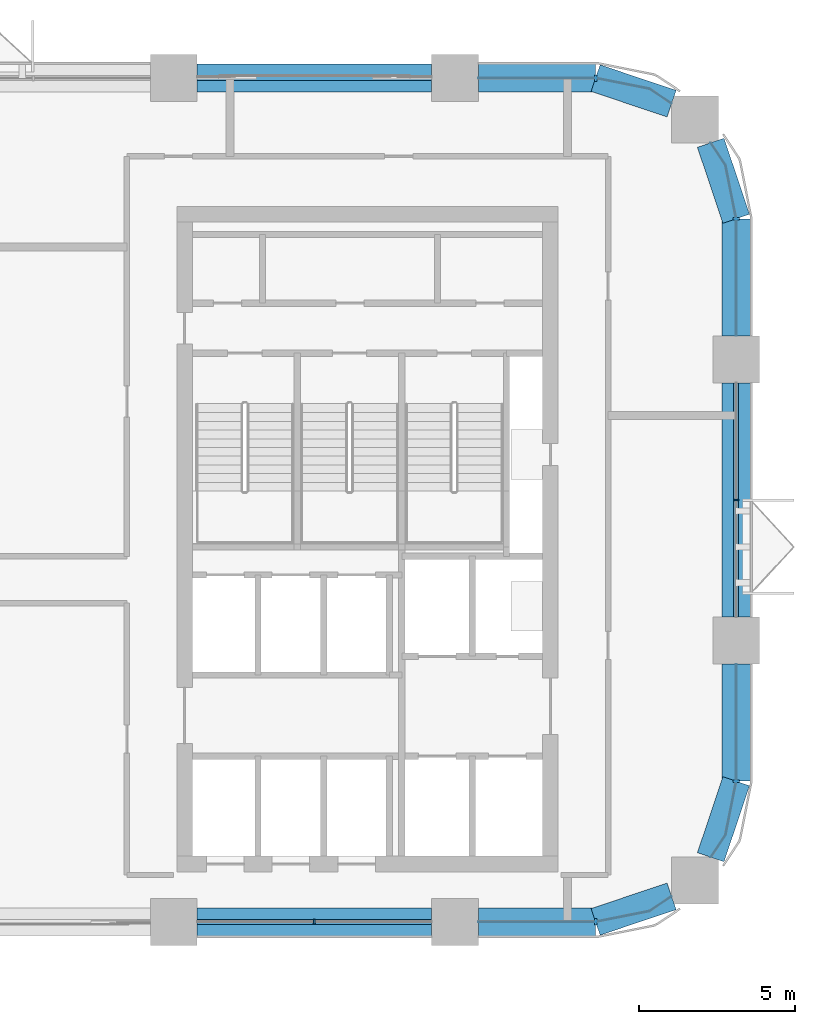
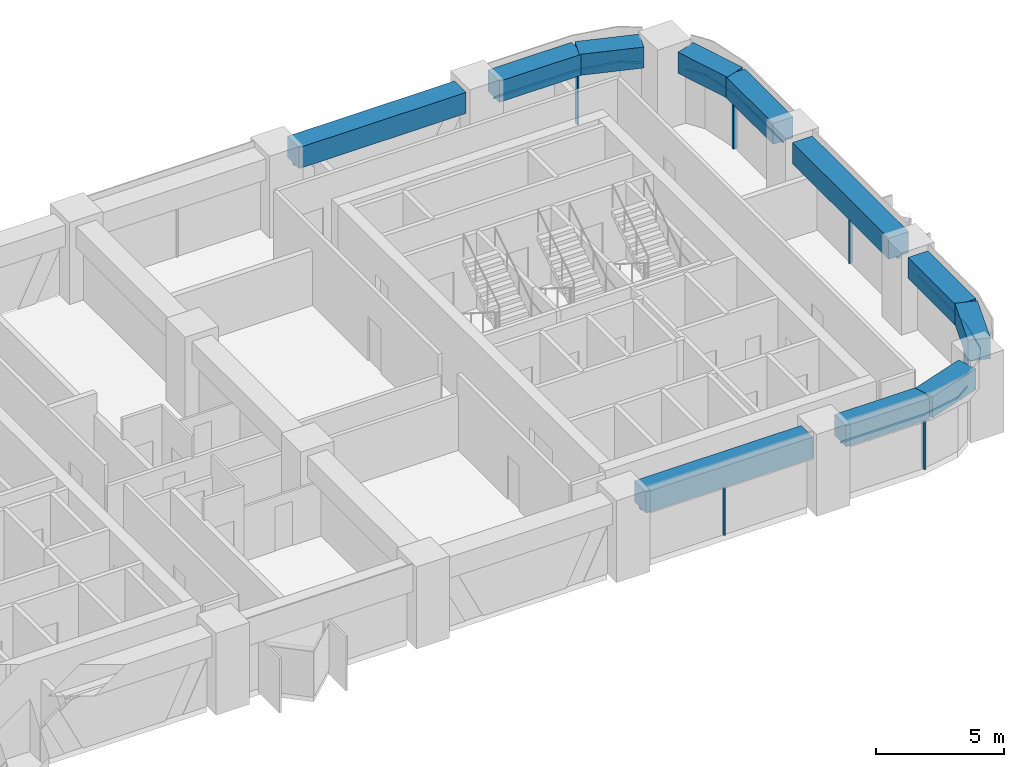
# One storey, part 5 of 13: 13 members, 11 beams, 7 elements without a shape of their own.
"""IFC4 building model written with IfcOpenShell, lengths in metres."""

from ifc_helpers import new_model, si_unit, direction, frame, origin, origin_2d, place, context, subcontext, project, spatial, polyline, rectangle, outline, extrude, material, material_profile, profile_set, type_object, element, aggregate, save


model = new_model("IFC4")

# Units and contexts
model_context = context("Model", 3, precision=1e-05, world=origin(), true_north=direction((0.0, 1.0)))
body_context = subcontext(model_context, "Body", "Model", "MODEL_VIEW")
ifc_project = project(units=[si_unit("LENGTHUNIT", "METRE"), si_unit("AREAUNIT", "SQUARE_METRE"), si_unit("VOLUMEUNIT", "CUBIC_METRE"), si_unit("PLANEANGLEUNIT", "RADIAN"), si_unit("MASSUNIT", "GRAM", prefix="KILO")], contexts=[model_context])

# Site, building, storey
site_placement = place(None, origin())
site = spatial("IfcSite", under=ifc_project, at=site_placement, CompositionType="ELEMENT")
building_placement = place(site_placement, origin())
building = spatial("IfcBuilding", under=site, at=building_placement, Name="Tessera Arch", CompositionType="ELEMENT")
storey_placement = place(building_placement, frame((0.0, 0.0, 162.199951171875)))
storey = spatial("IfcBuildingStorey", under=building, at=storey_placement, Name="L38", CompositionType="ELEMENT", Elevation=162.199951171875)

# Curtain wall, member
ifc_material_1 = material(Name="CW1 curtain wall")
curtain_wall_type_1 = type_object("IfcCurtainWallType", Name="CW1 curtain wall", PredefinedType="NOTDEFINED", material=ifc_material_1)
curtain_wall_1_placement = place(storey_placement, origin())
curtain_wall_1 = element("IfcCurtainWall", 1, at=curtain_wall_1_placement, inside=storey, type_object=curtain_wall_type_1, Name="CW1 curtain wall E54.27/0 L38", PredefinedType="NOTDEFINED")
ifc_material_2 = material(Name="Anodised aluminium pale metal", Category="aluminium")
ifc_material_profile_1 = material_profile(ifc_material_2, rectangle(XDim=0.159912109375, YDim=0.06005859375, at=origin_2d()), Name="AL 60x160")
ifc_profile_set_1 = profile_set([ifc_material_profile_1], Name="Anodised aluminium pale metal")
member_type_1 = type_object("IfcMemberType", Name="CW1 mullion", PredefinedType="MULLION", material=ifc_profile_set_1)
member_1_placement = place(storey_placement, frame((54.0, 40.5, 0.0), z_axis=(0.0, 0.0, 1.0), x_axis=(-1.0, 0.0, 0.0)))
member_1 = element("IfcMember", 2, at=member_1_placement, type_object=member_type_1, Name="CW1 mullion E54.27/0 1", PredefinedType="MULLION", context=body_context, shape_type="SweptSolid", body=[
    extrude(rectangle(XDim=0.159912109375, YDim=0.06005859375, at=origin_2d()), origin(), (0.0, 0.0, 1.0), 2.5),
])

curtain_wall_2_placement = place(storey_placement, origin())
curtain_wall_2 = element("IfcCurtainWall", 3, at=curtain_wall_2_placement, inside=storey, type_object=curtain_wall_type_1, Name="CW1 curtain wall S27.0/4 L38", PredefinedType="NOTDEFINED")
member_2_placement = place(storey_placement, frame((40.5, 27.0, 0.0), z_axis=(0.0, 0.0, 1.0), x_axis=(0.0, 1.0, 0.0)))
member_2 = element("IfcMember", 4, at=member_2_placement, type_object=member_type_1, Name="CW1 mullion S27.0/4 1", PredefinedType="MULLION", context=body_context, shape_type="SweptSolid", body=[
    extrude(rectangle(XDim=0.159912109375, YDim=0.06005859375, at=origin_2d()), origin(), (0.0, 0.0, 1.0), 2.5),
])

# Member
ifc_material_3 = material(Name="Anodised aluminium pale metal", Category="aluminium")
ifc_material_profile_2 = material_profile(ifc_material_3, rectangle(XDim=0.159912109375, YDim=0.10009765625, at=origin_2d()), Name="AL 160x100")
ifc_profile_set_2 = profile_set([ifc_material_profile_2], Name="Anodised aluminium pale metal")
member_type_2 = type_object("IfcMemberType", Name="CW1 transom", PredefinedType="USERDEFINED", material=ifc_profile_set_2)
member_3_placement = place(storey_placement, frame((54.0, 36.75, 2.550048828125), z_axis=(0.0, 1.0, 0.0), x_axis=(-1.0, 0.0, 0.0)))
member_3 = element("IfcMember", 5, at=member_3_placement, type_object=member_type_2, Name="CW1 transom E54.27/0 1.1", ObjectType="TRANSOM", PredefinedType="USERDEFINED", context=body_context, shape_type="SweptSolid", body=[
    extrude(rectangle(XDim=0.159912109375, YDim=0.10009765625, at=origin_2d()), origin(), (0.0, 0.0, 1.0), 7.5),
])

aggregate(curtain_wall_1, [member_1, member_3])

member_4_placement = place(storey_placement, frame((36.75, 27.0, 2.550048828125), z_axis=(1.0, 0.0, 0.0), x_axis=(0.0, 1.0, 0.0)))
member_4 = element("IfcMember", 6, at=member_4_placement, type_object=member_type_2, Name="CW1 transom S27.0/4 1.1", ObjectType="TRANSOM", PredefinedType="USERDEFINED", context=body_context, shape_type="SweptSolid", body=[
    extrude(rectangle(XDim=0.159912109375, YDim=0.10009765625, at=origin_2d()), origin(), (0.0, 0.0, 1.0), 7.5),
])

aggregate(curtain_wall_2, [member_2, member_4])

# Curtain wall, member
ifc_material_4 = material(Name="CW2 curtain wall")
curtain_wall_type_2 = type_object("IfcCurtainWallType", Name="CW2 curtain wall", PredefinedType="NOTDEFINED", material=ifc_material_4)
curtain_wall_3_placement = place(storey_placement, origin())
curtain_wall_3 = element("IfcCurtainWall", 7, at=curtain_wall_3_placement, inside=storey, type_object=curtain_wall_type_2, Name="CW2 curtain wall E54.27/1 L38", PredefinedType="NOTDEFINED")
ifc_material_5 = material(Name="Anodised aluminium pale metal", Category="aluminium")
ifc_material_profile_3 = material_profile(ifc_material_5, rectangle(XDim=0.199951171875, YDim=0.080078125, at=origin_2d()), Name="AL 80x200")
ifc_profile_set_3 = profile_set([ifc_material_profile_3], Name="Anodised aluminium pale metal")
member_type_3 = type_object("IfcMemberType", Name="CW2 mullion", PredefinedType="MULLION", material=ifc_profile_set_3)
member_5_placement = place(storey_placement, frame((54.0, 49.5, 0.0), z_axis=(0.0, 0.0, 1.0), x_axis=(-1.0, 0.0, 0.0)))
member_5 = element("IfcMember", 8, at=member_5_placement, type_object=member_type_3, Name="CW2 mullion E54.27/1 1", PredefinedType="MULLION", context=body_context, shape_type="SweptSolid", body=[
    extrude(rectangle(XDim=0.199951171875, YDim=0.080078125, at=origin_2d()), origin(), (0.0, 0.0, 1.0), 2.5),
])

curtain_wall_4_placement = place(storey_placement, origin())
curtain_wall_4 = element("IfcCurtainWall", 9, at=curtain_wall_4_placement, inside=storey, type_object=curtain_wall_type_2, Name="CW2 curtain wall N54.0/0 L38", PredefinedType="NOTDEFINED")
member_6_placement = place(storey_placement, frame((49.5, 54.0, 0.0), z_axis=(0.0, 0.0, 1.0), x_axis=(0.0, -1.0, 0.0)))
member_6 = element("IfcMember", 10, at=member_6_placement, type_object=member_type_3, Name="CW2 mullion N54.0/0 1", PredefinedType="MULLION", context=body_context, shape_type="SweptSolid", body=[
    extrude(rectangle(XDim=0.199951171875, YDim=0.080078125, at=origin_2d()), origin(), (0.0, 0.0, 1.0), 2.5),
])

curtain_wall_5_placement = place(storey_placement, origin())
curtain_wall_5 = element("IfcCurtainWall", 11, at=curtain_wall_5_placement, inside=storey, type_object=curtain_wall_type_2, Name="CW2 curtain wall S27.0/5 L38", PredefinedType="NOTDEFINED")
member_7_placement = place(storey_placement, frame((49.5, 27.0, 0.0), z_axis=(0.0, 0.0, 1.0), x_axis=(0.0, 1.0, 0.0)))
member_7 = element("IfcMember", 12, at=member_7_placement, type_object=member_type_3, Name="CW2 mullion S27.0/5 1", PredefinedType="MULLION", context=body_context, shape_type="SweptSolid", body=[
    extrude(rectangle(XDim=0.199951171875, YDim=0.080078125, at=origin_2d()), origin(), (0.0, 0.0, 1.0), 2.5),
])

curtain_wall_6_placement = place(storey_placement, origin())
curtain_wall_6 = element("IfcCurtainWall", 13, at=curtain_wall_6_placement, inside=storey, type_object=curtain_wall_type_2, Name="CW2 curtain wall E54.27/2 L38", PredefinedType="NOTDEFINED")
member_8_placement = place(storey_placement, frame((54.0, 31.5, 0.0), z_axis=(0.0, 0.0, 1.0), x_axis=(-1.0, 0.0, 0.0)))
member_8 = element("IfcMember", 14, at=member_8_placement, type_object=member_type_3, Name="CW2 mullion E54.27/2 1", PredefinedType="MULLION", context=body_context, shape_type="SweptSolid", body=[
    extrude(rectangle(XDim=0.199951171875, YDim=0.080078125, at=origin_2d()), origin(), (0.0, 0.0, 1.0), 2.5),
])

# Member
ifc_material_6 = material(Name="Anodised aluminium pale metal", Category="aluminium")
ifc_material_profile_4 = material_profile(ifc_material_6, rectangle(XDim=0.199951171875, YDim=0.10009765625, at=origin_2d()), Name="AL 200x100")
ifc_profile_set_4 = profile_set([ifc_material_profile_4], Name="Anodised aluminium pale metal")
member_type_4 = type_object("IfcMemberType", Name="CW2 transom", PredefinedType="USERDEFINED", material=ifc_profile_set_4)
member_9_placement = place(storey_placement, frame((0.0, 0.0, 2.5)))
member_9 = element("IfcMember", 15, at=member_9_placement, type_object=member_type_4, Name="CW2 transom E54.27/1 1", ObjectType="TRANSOM", PredefinedType="USERDEFINED", context=body_context, shape_type="SweptSolid", body=[
    extrude(outline(polyline([(53.989990234375, 49.4990234375), (53.989990234375, 45.75), (54.010009765625, 45.75), (54.010009765625, 49.5009765625), (53.6669921875, 51.22607421875), (53.19140625, 51.9375), (53.1748046875, 51.926513671875), (53.648193359375, 51.21826171875), (53.989990234375, 49.4990234375)])), origin(), (0.0, 0.0, 1.0), 0.10009765625),
])

aggregate(curtain_wall_3, [member_5, member_9])

member_10_placement = place(storey_placement, frame((0.0, 0.0, 2.5)))
member_10 = element("IfcMember", 16, at=member_10_placement, type_object=member_type_4, Name="CW2 transom N54.0/0 1", ObjectType="TRANSOM", PredefinedType="USERDEFINED", context=body_context, shape_type="SweptSolid", body=[
    extrude(outline(polyline([(51.21826171875, 53.648193359375), (51.926513671875, 53.1748046875), (51.9375, 53.19140625), (51.22607421875, 53.6669921875), (49.5009765625, 54.010009765625), (45.75, 54.010009765625), (45.75, 53.989990234375), (49.4990234375, 53.989990234375), (51.21826171875, 53.648193359375)])), origin(), (0.0, 0.0, 1.0), 0.10009765625),
])

aggregate(curtain_wall_4, [member_6, member_10])

member_11_placement = place(storey_placement, frame((0.0, 0.0, 2.5)))
member_11 = element("IfcMember", 17, at=member_11_placement, type_object=member_type_4, Name="CW2 transom S27.0/5 1", ObjectType="TRANSOM", PredefinedType="USERDEFINED", context=body_context, shape_type="SweptSolid", body=[
    extrude(outline(polyline([(49.4990234375, 27.010009765625), (45.75, 27.010009765625), (45.75, 26.989990234375), (49.5009765625, 26.989990234375), (51.22607421875, 27.3330078125), (51.9375, 27.80859375), (51.926513671875, 27.8251953125), (51.21826171875, 27.351806640625), (49.4990234375, 27.010009765625)])), origin(), (0.0, 0.0, 1.0), 0.10009765625),
])

aggregate(curtain_wall_5, [member_7, member_11])

member_12_placement = place(storey_placement, frame((0.0, 0.0, 2.5)))
member_12 = element("IfcMember", 18, at=member_12_placement, type_object=member_type_4, Name="CW2 transom E54.27/2 1", ObjectType="TRANSOM", PredefinedType="USERDEFINED", context=body_context, shape_type="SweptSolid", body=[
    extrude(outline(polyline([(53.648193359375, 29.78173828125), (53.1748046875, 29.073486328125), (53.19140625, 29.0625), (53.6669921875, 29.77392578125), (54.010009765625, 31.4990234375), (54.010009765625, 35.25), (53.989990234375, 35.25), (53.989990234375, 31.5009765625), (53.648193359375, 29.78173828125)])), origin(), (0.0, 0.0, 1.0), 0.10009765625),
])

aggregate(curtain_wall_6, [member_8, member_12])

# Curtain wall, member
ifc_material_7 = material(Name="CW3 curtain wall")
curtain_wall_type_3 = type_object("IfcCurtainWallType", Name="CW3 curtain wall", PredefinedType="NOTDEFINED", material=ifc_material_7)
curtain_wall_7_placement = place(storey_placement, origin())
curtain_wall_7 = element("IfcCurtainWall", 19, at=curtain_wall_7_placement, inside=storey, type_object=curtain_wall_type_3, Name="CW3 curtain wall N54.0/1 L38", PredefinedType="NOTDEFINED")
ifc_material_8 = material(Name="Anodised aluminium pale metal", Category="aluminium")
ifc_material_profile_5 = material_profile(ifc_material_8, rectangle(XDim=0.139892578125, YDim=0.10009765625, at=origin_2d()), Name="AL 140x100")
ifc_profile_set_5 = profile_set([ifc_material_profile_5], Name="Anodised aluminium pale metal")
member_type_5 = type_object("IfcMemberType", Name="CW3 transom", PredefinedType="USERDEFINED", material=ifc_profile_set_5)
member_13_placement = place(storey_placement, frame((44.25, 54.0, 2.550048828125), z_axis=(-1.0, 0.0, 0.0), x_axis=(0.0, -1.0, 0.0)))
member_13 = element("IfcMember", 20, at=member_13_placement, type_object=member_type_5, Name="CW3 transom N54.0/1 1.1", ObjectType="TRANSOM", PredefinedType="USERDEFINED", context=body_context, shape_type="SweptSolid", body=[
    extrude(rectangle(XDim=0.139892578125, YDim=0.10009765625, at=origin_2d()), origin(), (0.0, 0.0, 1.0), 7.5),
])
aggregate(curtain_wall_7, [member_13])

# Beams
ifc_material_9 = material(Name="Concrete C70/85", Category="concrete")
ifc_material_profile_6 = material_profile(ifc_material_9, rectangle(XDim=0.89990234375, YDim=1.0, at=origin_2d()), Name="RC spandrel beam 900 x 1000 Concrete C70/85")
ifc_profile_set_6 = profile_set([ifc_material_profile_6], Name="Concrete C70/85")
beam_type = type_object("IfcBeamType", Name="RC spandrel beam 900 x 1000 Concrete C70/85", PredefinedType="BEAM", material=ifc_profile_set_6)
beam_1_placement = place(storey_placement, frame((54.0, 36.75, 3.10009765625), z_axis=(0.0, 1.0, 0.0), x_axis=(-1.0, 0.0, 0.0)))
element("IfcBeam", 21, at=beam_1_placement, inside=storey, type_object=beam_type, Name="Spandrel beam L38 E54.27/0", PredefinedType="BEAM", context=body_context, shape_type="SweptSolid", body=[
    extrude(rectangle(XDim=0.89990234375, YDim=1.0, at=origin_2d()), origin(), (0.0, 0.0, 1.0), 7.5),
])
beam_2_placement = place(storey_placement, frame((54.0, 45.75, 3.10009765625), z_axis=(0.0, 1.0, 0.0), x_axis=(-1.0, 0.0, 0.0)))
element("IfcBeam", 22, at=beam_2_placement, inside=storey, type_object=beam_type, Name="Spandrel beam L38 E54.27/1.1", PredefinedType="BEAM", context=body_context, shape_type="SweptSolid", body=[
    extrude(rectangle(XDim=0.89990234375, YDim=1.0, at=origin_2d()), origin(), (0.0, 0.0, 1.0), 3.75),
])
for number, where, z_axis, x_axis, name in (
    (23, (54.0, 49.5, 3.10009765625), (-0.31842525032, 0.947947973234, 0.0), (-0.947947973234, -0.31842525032, 0.0), "Spandrel beam L38 E54.27/1.2"),
    (24, (51.931884765625, 53.18310546875, 3.10009765625), (-0.947947973234, 0.31842525032, 0.0), (-0.31842525032, -0.947947973234, 0.0), "Spandrel beam L38 N54.0/0.1"),
):
    element("IfcBeam", number, at=place(storey_placement, frame(where, z_axis=z_axis, x_axis=x_axis)), inside=storey, type_object=beam_type, Name=name, PredefinedType="BEAM", context=body_context, shape_type="SweptSolid", body=[
        extrude(rectangle(XDim=0.89990234375, YDim=1.0, at=origin_2d()), origin(), (0.0, 0.0, 1.0), 2.5654296875),
    ])
beam_3_placement = place(storey_placement, frame((49.5, 54.0, 3.10009765625), z_axis=(-1.0, 0.0, 0.0), x_axis=(0.0, -1.0, 0.0)))
element("IfcBeam", 25, at=beam_3_placement, inside=storey, type_object=beam_type, Name="Spandrel beam L38 N54.0/0.2", PredefinedType="BEAM", context=body_context, shape_type="SweptSolid", body=[
    extrude(rectangle(XDim=0.89990234375, YDim=1.0, at=origin_2d()), origin(), (0.0, 0.0, 1.0), 3.75),
])
for number, where, z_axis, x_axis, name in (
    (26, (44.25, 54.0, 3.10009765625), (-1.0, 0.0, 0.0), (0.0, -1.0, 0.0), "Spandrel beam L38 N54.0/1"),
    (27, (36.75, 27.0, 3.10009765625), (1.0, 0.0, 0.0), (0.0, 1.0, 0.0), "Spandrel beam L38 S27.0/4"),
):
    element("IfcBeam", number, at=place(storey_placement, frame(where, z_axis=z_axis, x_axis=x_axis)), inside=storey, type_object=beam_type, Name=name, PredefinedType="BEAM", context=body_context, shape_type="SweptSolid", body=[
        extrude(rectangle(XDim=0.89990234375, YDim=1.0, at=origin_2d()), origin(), (0.0, 0.0, 1.0), 7.5),
    ])
beam_4_placement = place(storey_placement, frame((45.75, 27.0, 3.10009765625), z_axis=(1.0, 0.0, 0.0), x_axis=(0.0, 1.0, 0.0)))
element("IfcBeam", 28, at=beam_4_placement, inside=storey, type_object=beam_type, Name="Spandrel beam L38 S27.0/5.1", PredefinedType="BEAM", context=body_context, shape_type="SweptSolid", body=[
    extrude(rectangle(XDim=0.89990234375, YDim=1.0, at=origin_2d()), origin(), (0.0, 0.0, 1.0), 3.75),
])
for number, where, z_axis, x_axis, name in (
    (29, (49.5, 27.0, 3.10009765625), (0.947947973234, 0.31842525032, 0.0), (-0.31842525032, 0.947947973234, 0.0), "Spandrel beam L38 S27.0/5.2"),
    (30, (53.18310546875, 29.068115234375, 3.10009765625), (0.31842525032, 0.947947973234, 0.0), (-0.947947973234, 0.31842525032, 0.0), "Spandrel beam L38 E54.27/2.1"),
):
    element("IfcBeam", number, at=place(storey_placement, frame(where, z_axis=z_axis, x_axis=x_axis)), inside=storey, type_object=beam_type, Name=name, PredefinedType="BEAM", context=body_context, shape_type="SweptSolid", body=[
        extrude(rectangle(XDim=0.89990234375, YDim=1.0, at=origin_2d()), origin(), (0.0, 0.0, 1.0), 2.5654296875),
    ])
beam_5_placement = place(storey_placement, frame((54.0, 31.5, 3.10009765625), z_axis=(0.0, 1.0, 0.0), x_axis=(-1.0, 0.0, 0.0)))
element("IfcBeam", 31, at=beam_5_placement, inside=storey, type_object=beam_type, Name="Spandrel beam L38 E54.27/2.2", PredefinedType="BEAM", context=body_context, shape_type="SweptSolid", body=[
    extrude(rectangle(XDim=0.89990234375, YDim=1.0, at=origin_2d()), origin(), (0.0, 0.0, 1.0), 3.75),
])

save(model, "model.ifc")
